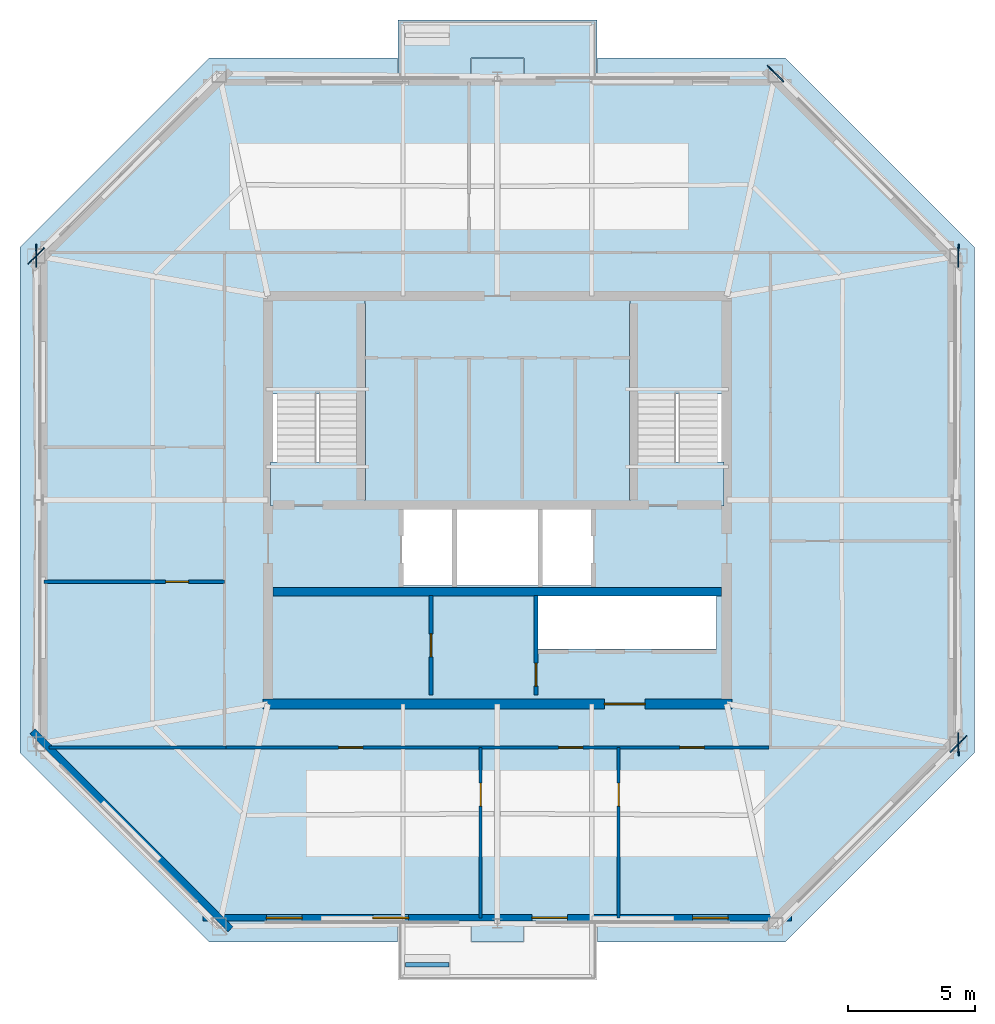
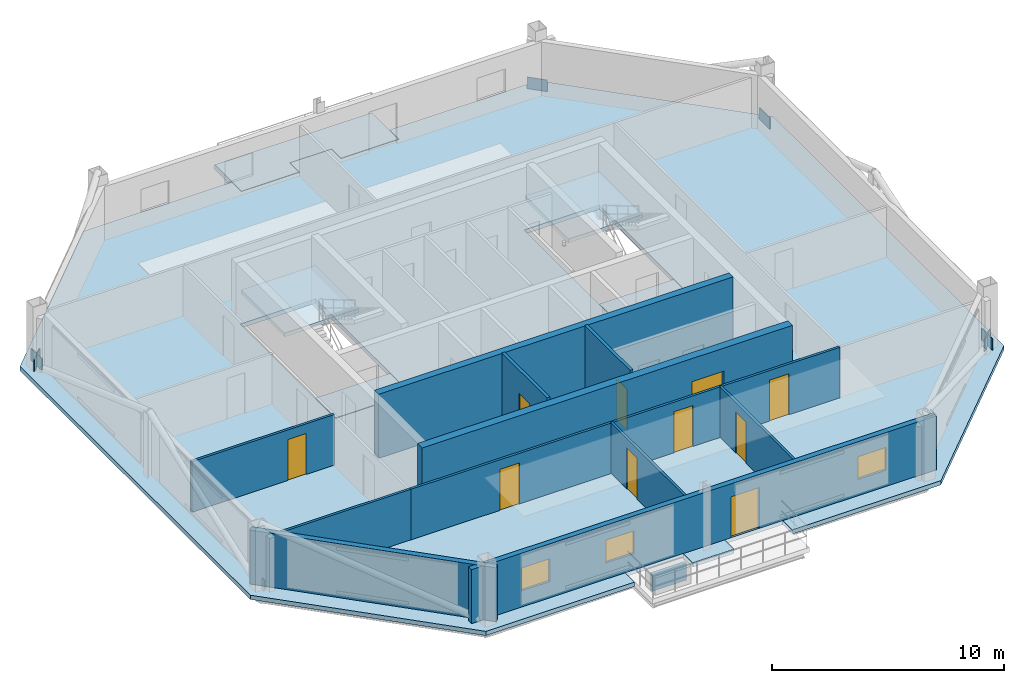
# One storey, part 2 of 6: 12 walls, 10 doors, 6 plates, 6 slabs, 3 windows, 13 openings, 2 elements without a shape of their own.
"""IFC4 building model written with IfcOpenShell, lengths in metres."""

from ifc_helpers import new_model, si_unit, direction, frame, frame_2d, origin, origin_2d, place, context, subcontext, project, spatial, polyline, rectangle, outline, extrude, material, layer, layer_set, type_object, element, fill, aggregate, save


model = new_model("IFC4")

# Units and contexts
model_context = context("Model", 3, precision=1e-05, world=origin(), true_north=direction((0.0, 1.0)))
body_context = subcontext(model_context, "Body", "Model", "MODEL_VIEW")
ifc_project = project(units=[si_unit("LENGTHUNIT", "METRE"), si_unit("AREAUNIT", "SQUARE_METRE"), si_unit("VOLUMEUNIT", "CUBIC_METRE"), si_unit("PLANEANGLEUNIT", "RADIAN"), si_unit("MASSUNIT", "GRAM", prefix="KILO")], contexts=[model_context])

# Site, building, storey
site_placement = place(None, origin())
site = spatial("IfcSite", under=ifc_project, at=site_placement, CompositionType="ELEMENT")
building_placement = place(site_placement, origin())
building = spatial("IfcBuilding", under=site, at=building_placement, Name="Caelvoria Tower", CompositionType="ELEMENT")
storey_placement = place(building_placement, frame((0.0, 0.0, 261.0)))
storey = spatial("IfcBuildingStorey", under=building, at=storey_placement, Name="L69", CompositionType="ELEMENT", Elevation=261.0)

# Plates
ifc_material_1 = material(Name="Structural Steel ASTM A572 Gr.50", Category="steel")
ifc_layer_1 = layer(ifc_material_1, 0.0400390625, Name="Structural Steel ASTM A572 Gr.50")
ifc_layer_set_1 = layer_set([ifc_layer_1], Name="Megaframe Node Gusset Plate 900x600x40 - Structural Steel ASTM A572 Gr.50")
plate_type = type_object("IfcPlateType", Name="Megaframe Node Gusset Plate 900x600x40", PredefinedType="USERDEFINED", material=ifc_layer_set_1)
for number, where, z_axis, x_axis, name in (
    (1, (64.086181640625, 22.427734375, 0.02001953125), (0.0, 0.0, 1.0), (-0.708251129694, -0.705960577714, 0.0), "Chamfer Mega Brace Gusset L69 SE"),
    (2, (56.9111328125, 48.724365234375, 0.02001953125), (0.0, 0.0, 1.0), (0.708251129694, -0.705960577714, 0.0), "Chamfer Mega Brace Gusset L69 NE"),
    (3, (27.913818359375, 41.572265625, 0.02001953125), (0.0, 0.0, 1.0), (0.708251129694, 0.705960577714, 0.0), "Chamfer Mega Brace Gusset L69 NW"),
    (4, (64.086181640625, 22.427734375, 0.050048828125), (0.0, 0.0, 1.0), (-0.008733516549, 0.999961862117, 0.0), "Megaframe Node Gusset Plate ND-04"),
    (5, (64.086181640625, 41.572265625, 0.050048828125), (0.0, 0.0, 1.0), (-0.008733516549, -0.999961862117, 0.0), "Megaframe Node Gusset Plate ND-04"),
    (6, (27.913818359375, 41.572265625, 0.050048828125), (0.0, 0.0, 1.0), (0.008733516549, -0.999961862117, 0.0), "Megaframe Node Gusset Plate ND-04"),
):
    element("IfcPlate", number, at=place(storey_placement, frame(where, z_axis=z_axis, x_axis=x_axis)), inside=storey, type_object=plate_type, Name=name, ObjectType="GUSSET_PLATE", PredefinedType="USERDEFINED", context=body_context, shape_type="SweptSolid", body=[
        extrude(rectangle(XDim=0.89990234375, YDim=0.0400390625, at=origin_2d()), origin(), (0.0, 0.0, 1.0), 0.60009765625),
    ])

# Stair, slabs
ifc_material_2 = material(Name="Concrete C40/50", Category="concrete")
stair_type = type_object("IfcStairType", Name="Core Smokeproof Dogleg Stair Concrete C40/50", PredefinedType="HALF_TURN_STAIR", material=ifc_material_2)
stair_1_placement = place(storey_placement, origin())
stair_1 = element("IfcStair", 7, at=stair_1_placement, inside=storey, type_object=stair_type, Name="ST-01 Smokeproof Exit Stair L69", PredefinedType="HALF_TURN_STAIR")
ifc_layer_2 = layer(ifc_material_2, 0.199951171875, Name="Concrete C40/50")
ifc_layer_set_2 = layer_set([ifc_layer_2], Name="Stair Half and Floor Landing Slab 200 Concrete C40/50 - Concrete C40/50")
slab_type_1 = type_object("IfcSlabType", Name="Stair Half and Floor Landing Slab 200 Concrete C40/50", PredefinedType="LANDING", material=ifc_layer_set_2)
slab_1_placement = place(storey_placement, frame((0.0, 0.0, -0.199951171875)))
slab_1 = element("IfcSlab", 8, at=slab_1_placement, type_object=slab_type_1, Name="ST-01 landing 1", PredefinedType="LANDING", context=body_context, shape_type="SweptSolid", body=[
    extrude(outline(polyline([(37.10009765625, 31.77001953125), (40.800048828125, 31.77001953125), (40.800048828125, 33.5), (37.10009765625, 33.5), (37.10009765625, 31.77001953125)])), origin(), (0.0, 0.0, 1.0), 0.199951171875),
])
slab_2_placement = place(storey_placement, frame((0.0, 0.0, 1.60009765625)))
slab_2 = element("IfcSlab", 9, at=slab_2_placement, type_object=slab_type_1, Name="ST-01 landing 2", PredefinedType="LANDING", context=body_context, shape_type="SweptSolid", body=[
    extrude(outline(polyline([(37.10009765625, 36.14990234375), (40.800048828125, 36.14990234375), (40.800048828125, 39.89990234375), (37.10009765625, 39.89990234375), (37.10009765625, 36.14990234375)])), origin(), (0.0, 0.0, 1.0), 0.199951171875),
])
aggregate(stair_1, [slab_1, slab_2])

stair_2_placement = place(storey_placement, origin())
stair_2 = element("IfcStair", 10, at=stair_2_placement, inside=storey, type_object=stair_type, Name="ST-02 Smokeproof Exit Stair L69", PredefinedType="HALF_TURN_STAIR")
slab_3_placement = place(storey_placement, frame((0.0, 0.0, -0.199951171875)))
slab_3 = element("IfcSlab", 11, at=slab_3_placement, type_object=slab_type_1, Name="ST-02 landing 1", PredefinedType="LANDING", context=body_context, shape_type="SweptSolid", body=[
    extrude(outline(polyline([(51.199951171875, 31.77001953125), (54.89990234375, 31.77001953125), (54.89990234375, 33.5), (51.199951171875, 33.5), (51.199951171875, 31.77001953125)])), origin(), (0.0, 0.0, 1.0), 0.199951171875),
])
slab_4_placement = place(storey_placement, frame((0.0, 0.0, 1.60009765625)))
slab_4 = element("IfcSlab", 12, at=slab_4_placement, type_object=slab_type_1, Name="ST-02 landing 2", PredefinedType="LANDING", context=body_context, shape_type="SweptSolid", body=[
    extrude(outline(polyline([(51.199951171875, 36.14990234375), (54.89990234375, 36.14990234375), (54.89990234375, 39.89990234375), (51.199951171875, 39.89990234375), (51.199951171875, 36.14990234375)])), origin(), (0.0, 0.0, 1.0), 0.199951171875),
])
aggregate(stair_2, [slab_3, slab_4])

# Slabs
ifc_material_3 = material(Name="Concrete C45/55", Category="concrete")
ifc_layer_3 = layer(ifc_material_3, 0.25, Name="Concrete C45/55")
ifc_layer_set_3 = layer_set([ifc_layer_3], Name="Tree Balcony Structural Planter Slab 250 - Concrete C45/55")
slab_type_2 = type_object("IfcSlabType", Name="Tree Balcony Structural Planter Slab 250", PredefinedType="FLOOR", material=ifc_layer_set_3)
slab_5_placement = place(storey_placement, frame((0.0, 0.0, -0.25)))
element("IfcSlab", 13, at=slab_5_placement, inside=storey, type_object=slab_type_2, Name="Tree Balcony Slab TB-L69-N", PredefinedType="FLOOR", context=body_context, shape_type="SweptSolid", body=[
    extrude(outline(polyline([(42.10009765625, 50.827392578125), (42.10009765625, 49.327392578125), (42.10009765625, 48.52734375), (44.9599609375, 48.52734375), (44.9599609375, 49.327392578125), (47.0400390625, 49.327392578125), (47.0400390625, 48.52734375), (49.89990234375, 48.52734375), (49.89990234375, 49.327392578125), (49.89990234375, 50.827392578125), (42.10009765625, 50.827392578125)])), origin(), (0.0, 0.0, 1.0), 0.25),
])
ifc_layer_4 = layer(ifc_material_2, 0.22509765625, Name="Concrete C40/50")
ifc_layer_set_4 = layer_set([ifc_layer_4], Name="Upper Tower Composite Office Slab 225 - Concrete C40/50")
slab_type_3 = type_object("IfcSlabType", Name="Upper Tower Composite Office Slab 225", PredefinedType="FLOOR", material=ifc_layer_set_4)
slab_6_placement = place(storey_placement, frame((0.0, 0.0, -0.22509765625)))
element("IfcSlab", 14, at=slab_6_placement, inside=storey, type_object=slab_type_3, Name="Level L69 Structural Floor Slab", PredefinedType="FLOOR", context=body_context, shape_type="SweptSolid", body=[
    extrude(outline(polyline([(27.27734375, 41.9091796875), (27.27734375, 22.0908203125), (34.695556640625, 14.672607421875), (42.080078125, 14.672607421875), (42.080078125, 15.49267578125), (44.97998046875, 15.49267578125), (44.97998046875, 14.672607421875), (47.02001953125, 14.672607421875), (47.02001953125, 15.49267578125), (49.919921875, 15.49267578125), (49.919921875, 14.672607421875), (57.304443359375, 14.672607421875), (64.72265625, 22.0908203125), (64.72265625, 41.9091796875), (57.304443359375, 49.327392578125), (49.919921875, 49.327392578125), (49.919921875, 48.50732421875), (47.02001953125, 48.50732421875), (47.02001953125, 49.327392578125), (44.97998046875, 49.327392578125), (44.97998046875, 48.50732421875), (42.080078125, 48.50732421875), (42.080078125, 49.327392578125), (34.695556640625, 49.327392578125), (27.27734375, 41.9091796875)]), holes=[polyline([(37.080078125, 31.75), (40.820068359375, 31.75), (40.820068359375, 39.919921875), (37.080078125, 39.919921875), (37.080078125, 31.75)]), polyline([(51.179931640625, 31.75), (54.919921875, 31.75), (54.919921875, 39.919921875), (51.179931640625, 39.919921875), (51.179931640625, 31.75)]), polyline([(42.25, 28.64990234375), (49.75, 28.64990234375), (49.75, 31.800048828125), (42.25, 31.800048828125), (42.25, 28.64990234375)]), polyline([(47.60009765625, 26.14990234375), (54.60009765625, 26.14990234375), (54.60009765625, 28.25), (47.60009765625, 28.25), (47.60009765625, 26.14990234375)])]), origin(), (0.0, 0.0, 1.0), 0.22509765625),
])

# Walls
ifc_material_4 = material(Name="Bronze-Clad Concrete C40/50", Category="concrete")
ifc_layer_5 = layer(ifc_material_4, 0.179931640625, Name="Bronze-Clad Concrete C40/50")
ifc_layer_set_5 = layer_set([ifc_layer_5], Name="Architectural Planter Kerb Wall 180 - Bronze-Clad Concrete C40/50")
wall_type_1 = type_object("IfcWallType", Name="Architectural Planter Kerb Wall 180", PredefinedType="PARAPET", material=ifc_layer_set_5)
wall_1_placement = place(storey_placement, frame((42.39990234375, 13.772705078125, 0.0), z_axis=(0.0, 0.0, 1.0), x_axis=(1.0, 0.0, 0.0)))
element("IfcWall", 15, at=wall_1_placement, inside=storey, type_object=wall_type_1, Name="Tree Balcony Planter Kerb PLANTER TB-L69-S", PredefinedType="PARAPET", context=body_context, shape_type="SweptSolid", body=[
    extrude(rectangle(XDim=1.7001953125, YDim=0.179931640625, at=frame_2d((0.85009765625, 0.0))), origin(), (0.0, 0.0, 1.0), 0.8798828125),
])
ifc_material_5 = material(Name="Concrete C50/60", Category="concrete")
ifc_layer_6 = layer(ifc_material_5, 0.35009765625, Name="Concrete C50/60")
ifc_layer_set_6 = layer_set([ifc_layer_6], Name="Core Internal Shear Wall 350 - Concrete C50/60")
wall_type_2 = type_object("IfcWallType", Name="Core Internal Shear Wall 350", PredefinedType="SHEAR", material=ifc_layer_set_6)
wall_2_placement = place(storey_placement, frame((37.199951171875, 28.39990234375, 0.0), z_axis=(0.0, 0.0, 1.0), x_axis=(1.0, 0.0, 0.0)))
element("IfcWall", 16, at=wall_2_placement, inside=storey, type_object=wall_type_2, Name="Core Shear Wall L69 M2", PredefinedType="SHEAR", context=body_context, shape_type="SweptSolid", body=[
    extrude(rectangle(XDim=17.60009765625, YDim=0.35009765625, at=frame_2d((8.800048828125, 0.0))), origin(), (0.0, 0.0, 1.0), 3.360107421875),
])

# Wall, opening, door
ifc_material_6 = material(Name="Double Gypsum Board on Steel Stud", Category="steel")
ifc_layer_7 = layer(ifc_material_6, 0.14990234375, Name="Double Gypsum Board on Steel Stud")
ifc_layer_set_7 = layer_set([ifc_layer_7], Name="Core Service Acoustic Partition Wall 150 - Double Gypsum Board on Steel Stud")
wall_type_3 = type_object("IfcWallType", Name="Core Service Acoustic Partition Wall 150", PredefinedType="PARTITIONING", material=ifc_layer_set_7)
wall_3_placement = place(storey_placement, frame((43.39990234375, 24.35009765625, 0.0), z_axis=(0.0, 0.0, 1.0), x_axis=(0.0, 1.0, 0.0)))
wall_3 = element("IfcWall", 17, at=wall_3_placement, inside=storey, type_object=wall_type_3, Name="Interior Partition IW-L69-RECL-MID", PredefinedType="PARTITIONING", context=body_context, shape_type="SweptSolid", body=[
    extrude(rectangle(XDim=3.89990234375, YDim=0.14990234375, at=frame_2d((1.949951171875, 0.0))), origin(), (0.0, 0.0, 1.0), 3.375),
])
opening_1_placement = place(wall_3_placement, frame((1.5, 0.0, 0.0)))
opening_1 = element("IfcOpeningElement", 18, at=opening_1_placement, cuts=wall_3, Name="Opening ID-06", PredefinedType="OPENING", context=body_context, shape_type="SweptSolid", body=[
    extrude(rectangle(XDim=0.89990234375, YDim=2.14990234375, at=frame_2d((0.449951171875, 1.074951171875))), frame((0.0, 0.0849609375, 0.0), z_axis=(0.0, -1.0, 0.0), x_axis=(1.0, 0.0, 0.0)), (0.0, 0.0, 1.0), 0.169921875),
])
ifc_material_7 = material(Name="Engineered Andean Oak Veneer Door", Category="wood")
door_type_1 = type_object("IfcDoorType", Name="Interior Timber Door 900x2150", OperationType="NOTDEFINED", PredefinedType="DOOR", material=ifc_material_7)
door_1_placement = place(opening_1_placement, origin())
door_1 = element("IfcDoor", 19, at=door_1_placement, inside=storey, type_object=door_type_1, Name="Interior Door DR-L69-RECL12", OperationType="SINGLE_SWING_LEFT", OverallHeight=2.14990234375, OverallWidth=0.89990234375, PredefinedType="DOOR", context=body_context, shape_type="SweptSolid", body=[
    extrude(rectangle(XDim=0.89990234375, YDim=2.14990234375, at=frame_2d((0.449951171875, 1.074951171875))), frame((0.0, 0.02490234375, 0.0), z_axis=(0.0, -1.0, 0.0), x_axis=(1.0, 0.0, 0.0)), (0.0, 0.0, 1.0), 0.050048828125),
])
fill(opening_1, door_1)

wall_4_placement = place(storey_placement, frame((47.52001953125, 24.35009765625, 0.0), z_axis=(0.0, 0.0, 1.0), x_axis=(0.0, 1.0, 0.0)))
wall_4 = element("IfcWall", 20, at=wall_4_placement, inside=storey, type_object=wall_type_3, Name="Interior Partition IW-L69-RECL2E", PredefinedType="PARTITIONING", context=body_context, shape_type="SweptSolid", body=[
    extrude(rectangle(XDim=3.89990234375, YDim=0.14990234375, at=frame_2d((1.949951171875, 0.0))), origin(), (0.0, 0.0, 1.0), 3.375),
])
opening_2_placement = place(wall_4_placement, frame((0.35009765625, 0.0, 0.0)))
opening_2 = element("IfcOpeningElement", 21, at=opening_2_placement, cuts=wall_4, Name="Opening ID-04", PredefinedType="OPENING", context=body_context, shape_type="SweptSolid", body=[
    extrude(rectangle(XDim=0.89990234375, YDim=2.14990234375, at=frame_2d((0.449951171875, 1.074951171875))), frame((0.0, 0.0849609375, 0.0), z_axis=(0.0, -1.0, 0.0), x_axis=(1.0, 0.0, 0.0)), (0.0, 0.0, 1.0), 0.169921875),
])
ifc_material_8 = material(Name="Acoustic Timber Fire Door", Category="wood")
door_type_2 = type_object("IfcDoorType", Name="Fire Door FD30S 900x2150", OperationType="NOTDEFINED", PredefinedType="DOOR", material=ifc_material_8)
door_2_placement = place(opening_2_placement, origin())
door_2 = element("IfcDoor", 22, at=door_2_placement, inside=storey, type_object=door_type_2, Name="Interior Door DR-L69-RECL2", OperationType="SINGLE_SWING_RIGHT", OverallHeight=2.14990234375, OverallWidth=0.89990234375, PredefinedType="DOOR", context=body_context, shape_type="SweptSolid", body=[
    extrude(rectangle(XDim=0.89990234375, YDim=2.14990234375, at=frame_2d((0.449951171875, 1.074951171875))), frame((0.0, 0.02490234375, 0.0), z_axis=(0.0, -1.0, 0.0), x_axis=(1.0, 0.0, 0.0)), (0.0, 0.0, 1.0), 0.050048828125),
])
fill(opening_2, door_2)

ifc_layer_8 = layer(ifc_material_5, 0.39990234375, Name="Concrete C50/60")
ifc_layer_set_8 = layer_set([ifc_layer_8], Name="Summit Core Shear Wall 400 - Concrete C50/60")
wall_type_4 = type_object("IfcWallType", Name="Summit Core Shear Wall 400", PredefinedType="SHEAR", material=ifc_layer_set_8)
wall_5_placement = place(storey_placement, frame((36.800048828125, 24.0, 0.0), z_axis=(0.0, 0.0, 1.0), x_axis=(1.0, 0.0, 0.0)))
wall_5 = element("IfcWall", 23, at=wall_5_placement, inside=storey, type_object=wall_type_4, Name="Core Shear Wall L69 S", PredefinedType="SHEAR", context=body_context, shape_type="SweptSolid", body=[
    extrude(rectangle(XDim=18.39990234375, YDim=0.39990234375, at=frame_2d((9.199951171875, 0.0))), origin(), (0.0, 0.0, 1.0), 3.360107421875),
])
opening_3_placement = place(wall_5_placement, frame((13.39990234375, 0.0, 0.0)))
opening_3 = element("IfcOpeningElement", 24, at=opening_3_placement, cuts=wall_5, Name="Opening ID-08", PredefinedType="OPENING", context=body_context, shape_type="SweptSolid", body=[
    extrude(rectangle(XDim=1.60009765625, YDim=2.14990234375, at=frame_2d((0.800048828125, 1.074951171875))), frame((0.0, 0.2099609375, 0.0), z_axis=(0.0, -1.0, 0.0), x_axis=(1.0, 0.0, 0.0)), (0.0, 0.0, 1.0), 0.419921875),
])
ifc_material_9 = material(Name="Bronze-Framed Fire-Rated Glazed Double Door", Category="aluminium")
door_type_3 = type_object("IfcDoorType", Name="Double Lobby Glazed Door 1600x2200", OperationType="NOTDEFINED", PredefinedType="DOOR", material=ifc_material_9)
door_3_placement = place(opening_3_placement, origin())
door_3 = element("IfcDoor", 25, at=door_3_placement, inside=storey, type_object=door_type_3, Name="Core Door DR-L69-LLOB-S2", OperationType="DOUBLE_DOOR_SINGLE_SWING", OverallHeight=2.14990234375, OverallWidth=1.60009765625, PredefinedType="DOOR", context=body_context, shape_type="SweptSolid", body=[
    extrude(rectangle(XDim=1.60009765625, YDim=2.14990234375, at=frame_2d((0.800048828125, 1.074951171875))), frame((0.0, 0.02490234375, 0.0), z_axis=(0.0, -1.0, 0.0), x_axis=(1.0, 0.0, 0.0)), (0.0, 0.0, 1.0), 0.050048828125),
])
fill(opening_3, door_3)

ifc_material_10 = material(Name="Acoustic Gypsum Board on Light-Gauge Stud", Category="gypsum")
ifc_layer_9 = layer(ifc_material_10, 0.1201171875, Name="Acoustic Gypsum Board on Light-Gauge Stud")
ifc_layer_set_9 = layer_set([ifc_layer_9], Name="Tenant Suite Acoustic Partition Wall 120 - Acoustic Gypsum Board on Light-Gauge Stud")
wall_type_5 = type_object("IfcWallType", Name="Tenant Suite Acoustic Partition Wall 120", PredefinedType="PARTITIONING", material=ifc_layer_set_9)
wall_6_placement = place(storey_placement, frame((45.345458984375, 22.2900390625, 0.0), z_axis=(0.0, 0.0, 1.0), x_axis=(0.0, -1.0, 0.0)))
wall_6 = element("IfcWall", 26, at=wall_6_placement, inside=storey, type_object=wall_type_5, Name="Interior Partition IW-L69-SD-00-0", PredefinedType="PARTITIONING", context=body_context, shape_type="SweptSolid", body=[
    extrude(rectangle(XDim=6.67724609375, YDim=0.1201171875, at=frame_2d((3.338623046875, 0.0))), origin(), (0.0, 0.0, 1.0), 2.655029296875),
])
opening_4_placement = place(wall_6_placement, frame((1.39990234375, 0.0, 0.0)))
opening_4 = element("IfcOpeningElement", 27, at=opening_4_placement, cuts=wall_6, Name="Opening ID-06", PredefinedType="OPENING", context=body_context, shape_type="SweptSolid", body=[
    extrude(rectangle(XDim=0.89990234375, YDim=2.14990234375, at=frame_2d((0.449951171875, 1.074951171875))), frame((0.0, 0.070068359375, 0.0), z_axis=(0.0, -1.0, 0.0), x_axis=(1.0, 0.0, 0.0)), (0.0, 0.0, 1.0), 0.14013671875),
])
door_4_placement = place(opening_4_placement, origin())
door_4 = element("IfcDoor", 28, at=door_4_placement, inside=storey, type_object=door_type_1, Name="Interior Door DR-L69-SM-00-0", OperationType="SINGLE_SWING_RIGHT", OverallHeight=2.14990234375, OverallWidth=0.89990234375, PredefinedType="DOOR", context=body_context, shape_type="SweptSolid", body=[
    extrude(rectangle(XDim=0.89990234375, YDim=2.14990234375, at=frame_2d((0.449951171875, 1.074951171875))), frame((0.0, 0.02490234375, 0.0), z_axis=(0.0, -1.0, 0.0), x_axis=(1.0, 0.0, 0.0)), (0.0, 0.0, 1.0), 0.050048828125),
])
fill(opening_4, door_4)

wall_7_placement = place(storey_placement, frame((50.760986328125, 22.2900390625, 0.0), z_axis=(0.0, 0.0, 1.0), x_axis=(0.0, -1.0, 0.0)))
wall_7 = element("IfcWall", 29, at=wall_7_placement, inside=storey, type_object=wall_type_5, Name="Interior Partition IW-L69-SD-01-0", PredefinedType="PARTITIONING", context=body_context, shape_type="SweptSolid", body=[
    extrude(rectangle(XDim=6.67724609375, YDim=0.1201171875, at=frame_2d((3.338623046875, 0.0))), origin(), (0.0, 0.0, 1.0), 2.655029296875),
])
opening_5_placement = place(wall_7_placement, frame((1.39990234375, 0.0, 0.0)))
opening_5 = element("IfcOpeningElement", 30, at=opening_5_placement, cuts=wall_7, Name="Opening ID-06", PredefinedType="OPENING", context=body_context, shape_type="SweptSolid", body=[
    extrude(rectangle(XDim=0.89990234375, YDim=2.14990234375, at=frame_2d((0.449951171875, 1.074951171875))), frame((0.0, 0.070068359375, 0.0), z_axis=(0.0, -1.0, 0.0), x_axis=(1.0, 0.0, 0.0)), (0.0, 0.0, 1.0), 0.14013671875),
])
door_5_placement = place(opening_5_placement, origin())
door_5 = element("IfcDoor", 31, at=door_5_placement, inside=storey, type_object=door_type_1, Name="Interior Door DR-L69-SM-01-0", OperationType="SINGLE_SWING_LEFT", OverallHeight=2.14990234375, OverallWidth=0.89990234375, PredefinedType="DOOR", context=body_context, shape_type="SweptSolid", body=[
    extrude(rectangle(XDim=0.89990234375, YDim=2.14990234375, at=frame_2d((0.449951171875, 1.074951171875))), frame((0.0, 0.02490234375, 0.0), z_axis=(0.0, -1.0, 0.0), x_axis=(1.0, 0.0, 0.0)), (0.0, 0.0, 1.0), 0.050048828125),
])
fill(opening_5, door_5)

# Wall, openings, doors
wall_8_placement = place(storey_placement, frame((35.35009765625, 22.2900390625, 0.0), z_axis=(0.0, 0.0, 1.0), x_axis=(1.0, 0.0, 0.0)))
wall_8 = element("IfcWall", 32, at=wall_8_placement, inside=storey, type_object=wall_type_5, Name="Interior Partition IW-L69-SCW-0", PredefinedType="PARTITIONING", context=body_context, shape_type="SweptSolid", body=[
    extrude(rectangle(XDim=21.2998046875, YDim=0.1201171875, at=frame_2d((10.64990234375, 0.0))), origin(), (0.0, 0.0, 1.0), 2.655029296875),
])
opening_6_placement = place(wall_8_placement, frame((4.425048828125, 0.0, 0.0)))
opening_6 = element("IfcOpeningElement", 33, at=opening_6_placement, cuts=wall_8, Name="Opening ID-05", PredefinedType="OPENING", context=body_context, shape_type="SweptSolid", body=[
    extrude(rectangle(XDim=0.949951171875, YDim=2.14990234375, at=frame_2d((0.47509765625, 1.074951171875))), frame((0.0, 0.070068359375, 0.0), z_axis=(0.0, -1.0, 0.0), x_axis=(1.0, 0.0, 0.0)), (0.0, 0.0, 1.0), 0.14013671875),
])
opening_7_placement = place(wall_8_placement, frame((13.050537109375, 0.0, 0.0)))
opening_7 = element("IfcOpeningElement", 34, at=opening_7_placement, cuts=wall_8, Name="Opening ID-05", PredefinedType="OPENING", context=body_context, shape_type="SweptSolid", body=[
    extrude(rectangle(XDim=0.949951171875, YDim=2.14990234375, at=frame_2d((0.47509765625, 1.074951171875))), frame((0.0, 0.070068359375, 0.0), z_axis=(0.0, -1.0, 0.0), x_axis=(1.0, 0.0, 0.0)), (0.0, 0.0, 1.0), 0.14013671875),
])
opening_8_placement = place(wall_8_placement, frame((17.810546875, 0.0, 0.0)))
opening_8 = element("IfcOpeningElement", 35, at=opening_8_placement, cuts=wall_8, Name="Opening ID-05", PredefinedType="OPENING", context=body_context, shape_type="SweptSolid", body=[
    extrude(rectangle(XDim=0.949951171875, YDim=2.14990234375, at=frame_2d((0.47509765625, 1.074951171875))), frame((0.0, 0.070068359375, 0.0), z_axis=(0.0, -1.0, 0.0), x_axis=(1.0, 0.0, 0.0)), (0.0, 0.0, 1.0), 0.14013671875),
])
door_type_4 = type_object("IfcDoorType", Name="Interior Timber Door 950x2150", OperationType="NOTDEFINED", PredefinedType="DOOR", material=ifc_material_7)
door_6_placement = place(opening_6_placement, origin())
door_6 = element("IfcDoor", 36, at=door_6_placement, inside=storey, type_object=door_type_4, Name="Interior Door DR-L69-SC-00-0", OperationType="SINGLE_SWING_RIGHT", OverallHeight=2.14990234375, OverallWidth=0.949951171875, PredefinedType="DOOR", context=body_context, shape_type="SweptSolid", body=[
    extrude(rectangle(XDim=0.949951171875, YDim=2.14990234375, at=frame_2d((0.47509765625, 1.074951171875))), frame((0.0, 0.02490234375, 0.0), z_axis=(0.0, -1.0, 0.0), x_axis=(1.0, 0.0, 0.0)), (0.0, 0.0, 1.0), 0.050048828125),
])
fill(opening_6, door_6)
door_7_placement = place(opening_7_placement, origin())
door_7 = element("IfcDoor", 37, at=door_7_placement, inside=storey, type_object=door_type_4, Name="Interior Door DR-L69-SC-01-0", OperationType="SINGLE_SWING_LEFT", OverallHeight=2.14990234375, OverallWidth=0.949951171875, PredefinedType="DOOR", context=body_context, shape_type="SweptSolid", body=[
    extrude(rectangle(XDim=0.949951171875, YDim=2.14990234375, at=frame_2d((0.47509765625, 1.074951171875))), frame((0.0, 0.02490234375, 0.0), z_axis=(0.0, -1.0, 0.0), x_axis=(1.0, 0.0, 0.0)), (0.0, 0.0, 1.0), 0.050048828125),
])
fill(opening_7, door_7)
door_8_placement = place(opening_8_placement, origin())
door_8 = element("IfcDoor", 38, at=door_8_placement, inside=storey, type_object=door_type_4, Name="Interior Door DR-L69-SC-02-0", OperationType="SINGLE_SWING_RIGHT", OverallHeight=2.14990234375, OverallWidth=0.949951171875, PredefinedType="DOOR", context=body_context, shape_type="SweptSolid", body=[
    extrude(rectangle(XDim=0.949951171875, YDim=2.14990234375, at=frame_2d((0.47509765625, 1.074951171875))), frame((0.0, 0.02490234375, 0.0), z_axis=(0.0, -1.0, 0.0), x_axis=(1.0, 0.0, 0.0)), (0.0, 0.0, 1.0), 0.050048828125),
])
fill(opening_8, door_8)

# Wall, opening, door
wall_9_placement = place(storey_placement, frame((35.2900390625, 28.793701171875, 0.0), z_axis=(0.0, 0.0, 1.0), x_axis=(-1.0, 0.0, 0.0)))
wall_9 = element("IfcWall", 39, at=wall_9_placement, inside=storey, type_object=wall_type_5, Name="Interior Partition IW-L69-WD-00-0", PredefinedType="PARTITIONING", context=body_context, shape_type="SweptSolid", body=[
    extrude(rectangle(XDim=7.07275390625, YDim=0.1201171875, at=frame_2d((3.536376953125, 0.0))), origin(), (0.0, 0.0, 1.0), 2.655029296875),
])
opening_9_placement = place(wall_9_placement, frame((1.39990234375, 0.0, 0.0)))
opening_9 = element("IfcOpeningElement", 40, at=opening_9_placement, cuts=wall_9, Name="Opening ID-06", PredefinedType="OPENING", context=body_context, shape_type="SweptSolid", body=[
    extrude(rectangle(XDim=0.89990234375, YDim=2.14990234375, at=frame_2d((0.449951171875, 1.074951171875))), frame((0.0, 0.070068359375, 0.0), z_axis=(0.0, -1.0, 0.0), x_axis=(1.0, 0.0, 0.0)), (0.0, 0.0, 1.0), 0.14013671875),
])
door_9_placement = place(opening_9_placement, origin())
door_9 = element("IfcDoor", 41, at=door_9_placement, inside=storey, type_object=door_type_1, Name="Interior Door DR-L69-WM-00-0", OperationType="SINGLE_SWING_RIGHT", OverallHeight=2.14990234375, OverallWidth=0.89990234375, PredefinedType="DOOR", context=body_context, shape_type="SweptSolid", body=[
    extrude(rectangle(XDim=0.89990234375, YDim=2.14990234375, at=frame_2d((0.449951171875, 1.074951171875))), frame((0.0, 0.02490234375, 0.0), z_axis=(0.0, -1.0, 0.0), x_axis=(1.0, 0.0, 0.0)), (0.0, 0.0, 1.0), 0.050048828125),
])
fill(opening_9, door_9)

# Wall
wall_10_placement = place(storey_placement, frame((35.35009765625, 22.2900390625, 0.0), z_axis=(0.0, 0.0, 1.0), x_axis=(-1.0, 0.0, 0.0)))
element("IfcWall", 42, at=wall_10_placement, inside=storey, type_object=wall_type_5, Name="Interior Partition IW-L69-BSW-0", PredefinedType="PARTITIONING", context=body_context, shape_type="SweptSolid", body=[
    extrude(rectangle(XDim=6.9423828125, YDim=0.1201171875, at=frame_2d((3.47119140625, 0.0))), origin(), (0.0, 0.0, 1.0), 2.655029296875),
])

# Wall, openings, windows, door
ifc_material_11 = material(Name="Precast Concrete C40/50 with Bronze Cladding", Category="concrete")
ifc_layer_10 = layer(ifc_material_11, 0.264892578125, Name="Precast Concrete C40/50 with Bronze Cladding")
ifc_layer_set_10 = layer_set([ifc_layer_10], Name="Upper Taper Precast Concrete C40/50 Bronze Facade Wall 265 - Precast Concrete C40/50 with Bronze Cladding")
wall_type_6 = type_object("IfcWallType", Name="Upper Taper Precast Concrete C40/50 Bronze Facade Wall 265", PredefinedType="STANDARD", material=ifc_layer_set_10)
wall_11_placement = place(storey_placement, frame((34.45556640625, 15.61279296875, 0.0), z_axis=(0.0, 0.0, 1.0), x_axis=(1.0, 0.0, 0.0)))
wall_11 = element("IfcWall", 43, at=wall_11_placement, inside=storey, type_object=wall_type_6, Name="Exterior Facade Wall L69-E0", PredefinedType="STANDARD", context=body_context, shape_type="SweptSolid", body=[
    extrude(rectangle(XDim=23.0888671875, YDim=0.264892578125, at=frame_2d((11.54443359375, 0.0))), origin(), (0.0, 0.0, 1.0), 2.83203125),
])
opening_10_placement = place(wall_11_placement, frame((12.89453125, 0.0, 0.0)))
opening_10 = element("IfcOpeningElement", 44, at=opening_10_placement, cuts=wall_11, Name="Opening ED-04", PredefinedType="OPENING", context=body_context, shape_type="SweptSolid", body=[
    extrude(rectangle(XDim=1.39990234375, YDim=2.14990234375, at=frame_2d((0.699951171875, 1.074951171875))), frame((0.0, 0.142333984375, 0.0), z_axis=(0.0, -1.0, 0.0), x_axis=(1.0, 0.0, 0.0)), (0.0, 0.0, 1.0), 0.284912109375),
])
opening_11_placement = place(wall_11_placement, frame((2.489013671875, 0.0, 0.85009765625)))
opening_11 = element("IfcOpeningElement", 45, at=opening_11_placement, cuts=wall_11, Name="Opening WN-06", PredefinedType="OPENING", context=body_context, shape_type="SweptSolid", body=[
    extrude(rectangle(XDim=1.39990234375, YDim=1.199951171875, at=frame_2d((0.699951171875, 0.60009765625))), frame((0.0, 0.142333984375, 0.0), z_axis=(0.0, -1.0, 0.0), x_axis=(1.0, 0.0, 0.0)), (0.0, 0.0, 1.0), 0.284912109375),
])
opening_12_placement = place(wall_11_placement, frame((6.666748046875, 0.0, 0.85009765625)))
opening_12 = element("IfcOpeningElement", 46, at=opening_12_placement, cuts=wall_11, Name="Opening WN-06", PredefinedType="OPENING", context=body_context, shape_type="SweptSolid", body=[
    extrude(rectangle(XDim=1.39990234375, YDim=1.199951171875, at=frame_2d((0.699951171875, 0.60009765625))), frame((0.0, 0.142333984375, 0.0), z_axis=(0.0, -1.0, 0.0), x_axis=(1.0, 0.0, 0.0)), (0.0, 0.0, 1.0), 0.284912109375),
])
opening_13_placement = place(wall_11_placement, frame((19.2001953125, 0.0, 0.85009765625)))
opening_13 = element("IfcOpeningElement", 47, at=opening_13_placement, cuts=wall_11, Name="Opening WN-06", PredefinedType="OPENING", context=body_context, shape_type="SweptSolid", body=[
    extrude(rectangle(XDim=1.39990234375, YDim=1.199951171875, at=frame_2d((0.699951171875, 0.60009765625))), frame((0.0, 0.142333984375, 0.0), z_axis=(0.0, -1.0, 0.0), x_axis=(1.0, 0.0, 0.0)), (0.0, 0.0, 1.0), 0.284912109375),
])
ifc_material_12 = material(Name="Low-E Tinted Glass in Bronze Aluminium Frame", Category="aluminium")
window_type = type_object("IfcWindowType", Name="Podium Clerestory Window 1400x1200", PartitioningType="SINGLE_PANEL", PredefinedType="WINDOW", material=ifc_material_12)
window_1_placement = place(opening_11_placement, origin())
window_1 = element("IfcWindow", 48, at=window_1_placement, inside=storey, type_object=window_type, Name="Facade Window L69-E0-00", OverallHeight=1.199951171875, OverallWidth=1.39990234375, PartitioningType="SINGLE_PANEL", PredefinedType="WINDOW", context=body_context, shape_type="SweptSolid", body=[
    extrude(rectangle(XDim=1.39990234375, YDim=1.199951171875, at=frame_2d((0.699951171875, 0.60009765625))), frame((0.0, 0.030029296875, 0.0), z_axis=(0.0, -1.0, 0.0), x_axis=(1.0, 0.0, 0.0)), (0.0, 0.0, 1.0), 0.06005859375),
])
fill(opening_11, window_1)
window_2_placement = place(opening_12_placement, origin())
window_2 = element("IfcWindow", 49, at=window_2_placement, inside=storey, type_object=window_type, Name="Facade Window L69-E0-01", OverallHeight=1.199951171875, OverallWidth=1.39990234375, PartitioningType="SINGLE_PANEL", PredefinedType="WINDOW", context=body_context, shape_type="SweptSolid", body=[
    extrude(rectangle(XDim=1.39990234375, YDim=1.199951171875, at=frame_2d((0.699951171875, 0.60009765625))), frame((0.0, 0.030029296875, 0.0), z_axis=(0.0, -1.0, 0.0), x_axis=(1.0, 0.0, 0.0)), (0.0, 0.0, 1.0), 0.06005859375),
])
fill(opening_12, window_2)
window_3_placement = place(opening_13_placement, origin())
window_3 = element("IfcWindow", 50, at=window_3_placement, inside=storey, type_object=window_type, Name="Facade Window L69-E0-04", OverallHeight=1.199951171875, OverallWidth=1.39990234375, PartitioningType="SINGLE_PANEL", PredefinedType="WINDOW", context=body_context, shape_type="SweptSolid", body=[
    extrude(rectangle(XDim=1.39990234375, YDim=1.199951171875, at=frame_2d((0.699951171875, 0.60009765625))), frame((0.0, 0.030029296875, 0.0), z_axis=(0.0, -1.0, 0.0), x_axis=(1.0, 0.0, 0.0)), (0.0, 0.0, 1.0), 0.06005859375),
])
fill(opening_13, window_3)
ifc_material_13 = material(Name="Anodised Bronze Aluminium and Laminated Glass", Category="aluminium")
door_type_5 = type_object("IfcDoorType", Name="Tree Balcony Glazed Door 1400x2150", OperationType="NOTDEFINED", PredefinedType="DOOR", material=ifc_material_13)
door_10_placement = place(opening_10_placement, origin())
door_10 = element("IfcDoor", 51, at=door_10_placement, inside=storey, type_object=door_type_5, Name="Tree Balcony Door L69-S", OperationType="SINGLE_SWING_RIGHT", OverallHeight=2.14990234375, OverallWidth=1.39990234375, PredefinedType="DOOR", context=body_context, shape_type="SweptSolid", body=[
    extrude(rectangle(XDim=1.39990234375, YDim=2.14990234375, at=frame_2d((0.699951171875, 1.074951171875))), frame((0.0, 0.02490234375, 0.0), z_axis=(0.0, -1.0, 0.0), x_axis=(1.0, 0.0, 0.0)), (0.0, 0.0, 1.0), 0.050048828125),
])
fill(opening_10, door_10)

# Wall
wall_12_placement = place(storey_placement, frame((27.772216796875, 22.92529296875, 0.0), z_axis=(0.0, 0.0, 1.0), x_axis=(0.707106781187, -0.707106781187, 0.0)))
element("IfcWall", 52, at=wall_12_placement, inside=storey, type_object=wall_type_6, Name="Exterior Facade Wall L69-E7", PredefinedType="STANDARD", context=body_context, shape_type="SweptSolid", body=[
    extrude(rectangle(XDim=10.970947265625, YDim=0.264892578125, at=frame_2d((5.4853515625, 0.0))), origin(), (0.0, 0.0, 1.0), 2.83203125),
])

save(model, "model.ifc")
